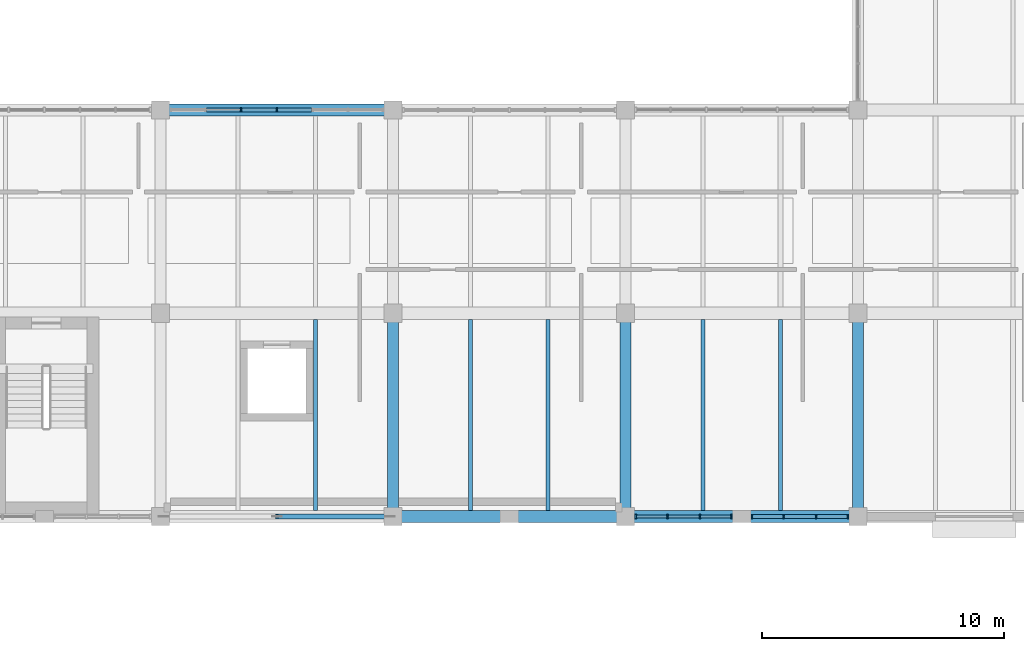
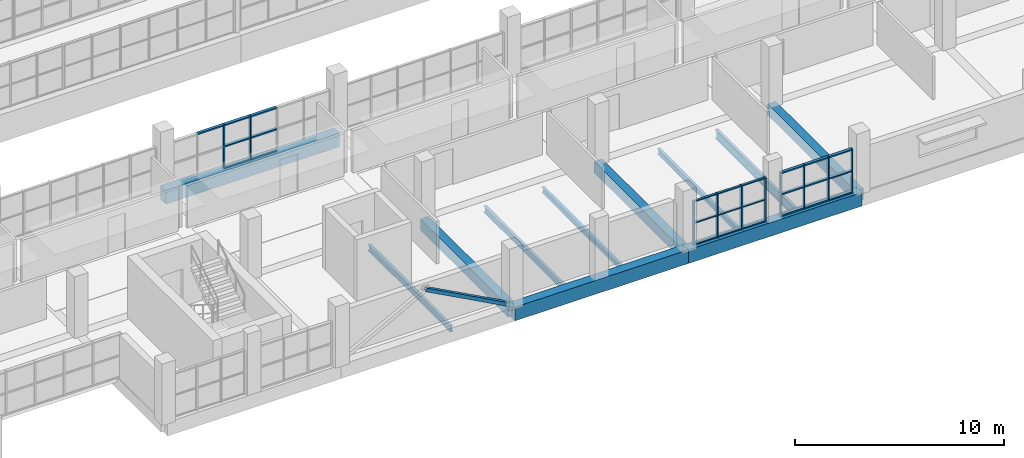
# One storey, part 53 of 147: 36 members, 11 beams, 3 elements without a shape of their own.
"""IFC4 building model written with IfcOpenShell, lengths in metres."""

import ifcopenshell
import ifcopenshell.guid

model = None  # the IFC model being written
_history = None  # IfcOwnerHistory: only IFC2X3 demands one
_inside = {}  # id of a spatial element -> (the spatial element, [elements in it])
_under = {}  # id of a project, library or spatial element -> (it, [spatial elements below it])
_declared = {}  # id of a project -> (the project, [libraries it declares])
_typed = {}  # id of a type object -> (the type object, [elements of that type])
_made_of = {}  # id of a material, layer set ... -> (it, [elements and type objects made of it])


def new_model(schema):
    """Start an empty IFC model of exactly this schema.

    Asked for "IFC4X3", IfcOpenShell would pick the latest addendum, in which some entities
    have other attributes; the version numbers below select the first issue.
    IFC2X3 requires an IfcOwnerHistory on every rooted entity: one is made here for all.
    """
    global model, _history
    if schema == "IFC4X3":
        model = ifcopenshell.file(schema_version=(4, 3, 0, 0))
    else:
        model = ifcopenshell.file(schema=schema)
    _inside.clear()
    _under.clear()
    _declared.clear()
    _typed.clear()
    _made_of.clear()
    _history = None
    if model.schema == "IFC2X3":
        org = make("IfcOrganization", Name="unknown")
        user = make(
            "IfcPersonAndOrganization",
            ThePerson=make("IfcPerson", FamilyName="unknown"),
            TheOrganization=org,
        )
        app = make(
            "IfcApplication",
            ApplicationDeveloper=org,
            Version="unknown",
            ApplicationFullName="unknown",
            ApplicationIdentifier="unknown",
        )
        _history = make(
            "IfcOwnerHistory",
            OwningUser=user,
            OwningApplication=app,
            ChangeAction="ADDED",
            CreationDate=0,
        )
    return model


def make(cls, **values):
    """One entity of the class cls with the attributes given. An attribute that is None is left unset."""
    return model.create_entity(
        cls, **{name: value for name, value in values.items() if value is not None}
    )


def rooted(cls, **values):
    """An entity with a GlobalId (a new one), such as an element, a storey or a relation."""
    return make(cls, GlobalId=ifcopenshell.guid.new(), OwnerHistory=_history, **values)


def si_unit(unit_type, name, prefix=None):
    """IfcSIUnit, for example si_unit("LENGTHUNIT", "METRE", prefix="MILLI")."""
    return make("IfcSIUnit", UnitType=unit_type, Prefix=prefix, Name=name)


def assignment(units):
    """IfcUnitAssignment: the units of a project."""
    return None if units is None else make("IfcUnitAssignment", Units=units)


def point(xyz):
    """IfcCartesianPoint."""
    return None if xyz is None else make("IfcCartesianPoint", Coordinates=xyz)


def direction(xyz):
    """IfcDirection."""
    return None if xyz is None else make("IfcDirection", DirectionRatios=xyz)


def frame(location, z_axis=None, x_axis=None):
    """IfcAxis2Placement3D, a coordinate frame: its origin and axes. An axis left out is left unset."""
    return make(
        "IfcAxis2Placement3D",
        Location=point(location),
        Axis=direction(z_axis),
        RefDirection=direction(x_axis),
    )


def frame_2d(location, x_axis=None):
    """IfcAxis2Placement2D, a coordinate frame in the plane: its origin and x axis."""
    return make(
        "IfcAxis2Placement2D", Location=point(location), RefDirection=direction(x_axis)
    )


def origin():
    """The frame at (0, 0, 0) with its axes left unset."""
    return frame((0.0, 0.0, 0.0))


def origin_2d():
    """The frame at (0, 0) in the plane with its x axis left unset."""
    return frame_2d((0.0, 0.0))


def place(relative_to, where):
    """IfcLocalPlacement: puts the frame where relative to a parent placement (None: the world)."""
    return make(
        "IfcLocalPlacement", PlacementRelTo=relative_to, RelativePlacement=where
    )


def context(
    kind, dimensions, precision=None, world=None, true_north=None, identifier=None
):
    """IfcGeometricRepresentationContext, for example the 3D "Model" context."""
    return make(
        "IfcGeometricRepresentationContext",
        ContextIdentifier=identifier,
        ContextType=kind,
        CoordinateSpaceDimension=dimensions,
        Precision=precision,
        WorldCoordinateSystem=world,
        TrueNorth=true_north,
    )


def subcontext(parent, identifier, kind, view, scale=None):
    """IfcGeometricRepresentationSubContext, for example "Body" below "Model"."""
    return make(
        "IfcGeometricRepresentationSubContext",
        ContextIdentifier=identifier,
        ContextType=kind,
        ParentContext=parent,
        TargetScale=scale,
        TargetView=view,
    )


def project(units=None, contexts=None):
    """IfcProject with its units and contexts."""
    return rooted(
        "IfcProject",
        Name="project",
        RepresentationContexts=contexts,
        UnitsInContext=assignment(units),
    )


def spatial(cls, under=None, at=None, **own):
    """A site, building, storey or space (cls), placed at a placement, below another one or the project."""
    s = rooted(cls, ObjectPlacement=at, **own)
    if under is not None:
        _under.setdefault(under.id(), (under, []))[1].append(s)
    return s


def profile(cls, at=None, kind="AREA", **sizes):
    """A parametric profile (cls). Its sizes go by their IFC names, for example OverallWidth=200.0."""
    return make(cls, ProfileType=kind, Position=at, **sizes)


def rectangle(**sizes):
    """IfcRectangleProfileDef."""
    return profile("IfcRectangleProfileDef", **sizes)


def hollow_rectangle(**sizes):
    """IfcRectangleHollowProfileDef."""
    return profile("IfcRectangleHollowProfileDef", **sizes)


def i_section(**sizes):
    """IfcIShapeProfileDef."""
    return profile("IfcIShapeProfileDef", **sizes)


def extrude(swept, where, along, depth):
    """IfcExtrudedAreaSolid: the profile swept, set in the frame where, extruded along a direction by depth."""
    return make(
        "IfcExtrudedAreaSolid",
        SweptArea=swept,
        Position=where,
        ExtrudedDirection=direction(along),
        Depth=depth,
    )


def shape(context_of_items, identifier, shape_type, items):
    """IfcShapeRepresentation: the items that make up one representation, for example the "Body"."""
    return make(
        "IfcShapeRepresentation",
        ContextOfItems=context_of_items,
        RepresentationIdentifier=identifier,
        RepresentationType=shape_type,
        Items=items,
    )


def material(Name=None, Category=None):
    """IfcMaterial."""
    return make("IfcMaterial", Name=Name, Category=Category)


def material_profile(
    of_material, cross_section, Name=None, Category=None, Priority=None
):
    """IfcMaterialProfile: a cross section and its material."""
    return make(
        "IfcMaterialProfile",
        Name=Name,
        Material=of_material,
        Profile=cross_section,
        Priority=Priority,
        Category=Category,
    )


def profile_set(profiles, Name=None, composite=None):
    """IfcMaterialProfileSet."""
    return make(
        "IfcMaterialProfileSet",
        Name=Name,
        MaterialProfiles=profiles,
        CompositeProfile=composite,
    )


def made_of(thing, what):
    """Note that an element or type object is made of a material, layer set ...; save() writes the relation."""
    if what is not None:
        _made_of.setdefault(what.id(), (what, []))[1].append(thing)
    return thing


def type_object(cls, material=None, **own):
    """A type object (cls), such as IfcWallType, which elements share."""
    return made_of(rooted(cls, **own), material)


def element(
    cls,
    number,
    at=None,
    inside=None,
    cuts=None,
    type_object=None,
    material=None,
    context=None,
    identifier="Body",
    shape_type=None,
    held_by="IfcProductDefinitionShape",
    body=None,
    shapes=None,
    **own,
):
    """One element of the class cls, such as IfcWall. Its Tag is "e" and its number.

    at: its placement. inside: the storey or other place that contains it. cuts: it is an
    opening in that element (IfcRelVoidsElement). A single representation is given by context,
    identifier, shape_type and body (its items); several are given by shapes. held_by: the class
    of the entity that holds the representations. save() writes the other relations.
    """
    e = rooted(cls, Tag="e%d" % number, ObjectPlacement=at, **own)
    if body is not None:
        shapes = [shape(context, identifier, shape_type, body)]
    if shapes is not None:
        e.Representation = make(held_by, Representations=shapes)
    if inside is not None:
        _inside.setdefault(inside.id(), (inside, []))[1].append(e)
    if cuts is not None:
        rooted(
            "IfcRelVoidsElement", RelatingBuildingElement=cuts, RelatedOpeningElement=e
        )
    if type_object is not None:
        _typed.setdefault(type_object.id(), (type_object, []))[1].append(e)
    return made_of(e, material)


def aggregate(whole, parts):
    """IfcRelAggregates: a whole, such as a stair, and the parts it consists of."""
    return rooted("IfcRelAggregates", RelatingObject=whole, RelatedObjects=parts)


def save(model, path):
    """Write the relations noted so far, then the file.

    IfcRelAggregates (storeys below a building ...), IfcRelContainedInSpatialStructure (elements
    in a storey), IfcRelDefinesByType, IfcRelAssociatesMaterial and IfcRelDeclares: one each for
    every whole, place, type object, material and project.
    """
    for whole, parts in _under.values():
        aggregate(whole, parts)
    for where, things in _inside.values():
        rooted(
            "IfcRelContainedInSpatialStructure",
            RelatedElements=things,
            RelatingStructure=where,
        )
    for kind, things in _typed.values():
        rooted("IfcRelDefinesByType", RelatedObjects=things, RelatingType=kind)
    for what, things in _made_of.values():
        rooted("IfcRelAssociatesMaterial", RelatedObjects=things, RelatingMaterial=what)
    for by, libraries in _declared.values():
        rooted("IfcRelDeclares", RelatingContext=by, RelatedDefinitions=libraries)
    model.write(path)


model = new_model("IFC4")

# Units and contexts
model_context = context("Model", 3, precision=1e-05, world=origin(), true_north=direction((0.0, 1.0)))
body_context = subcontext(model_context, "Body", "Model", "MODEL_VIEW")
ifc_project = project(units=[si_unit("LENGTHUNIT", "METRE"), si_unit("AREAUNIT", "SQUARE_METRE"), si_unit("VOLUMEUNIT", "CUBIC_METRE"), si_unit("PLANEANGLEUNIT", "RADIAN"), si_unit("MASSUNIT", "GRAM", prefix="KILO")], contexts=[model_context])

# Site, building, storey
site_placement = place(None, origin())
site = spatial("IfcSite", under=ifc_project, at=site_placement, CompositionType="ELEMENT")
building_placement = place(site_placement, origin())
building = spatial("IfcBuilding", under=site, at=building_placement, Name="Oolite Switchyard Hospital", CompositionType="ELEMENT")
storey_placement = place(building_placement, frame((0.0, 0.0, 9.89990234375)))
storey = spatial("IfcBuildingStorey", under=building, at=storey_placement, Name="L02", CompositionType="ELEMENT", Elevation=9.89990234375)

# Beams
ifc_material_1 = material(Name="Concrete C40/50", Category="concrete")
ifc_material_profile_1 = material_profile(ifc_material_1, rectangle(XDim=0.449951171875, YDim=0.64990234375, at=origin_2d()), Name="RCB450X650")
ifc_profile_set_1 = profile_set([ifc_material_profile_1], Name="Concrete C40/50")
beam_type_1 = type_object("IfcBeamType", Name="BM-RC450X650", PredefinedType="BEAM", material=ifc_profile_set_1)
for number, where, z_axis, x_axis, name in (
    (1, (163.199951171875, 8.39990234375, -0.324951171875), (0.0, 1.0, 0.0), (-1.0, 0.0, 0.0), "L02 Y-Girder 1442"),
    (2, (172.800048828125, 8.39990234375, -0.324951171875), (0.0, 1.0, 0.0), (-1.0, 0.0, 0.0), "L02 Y-Girder 1454"),
    (3, (182.39990234375, 8.39990234375, -0.324951171875), (0.0, 1.0, 0.0), (-1.0, 0.0, 0.0), "L02 Y-Girder 1467"),
):
    element("IfcBeam", number, at=place(storey_placement, frame(where, z_axis=z_axis, x_axis=x_axis)), inside=storey, type_object=beam_type_1, Name=name, PredefinedType="BEAM", context=body_context, shape_type="SweptSolid", body=[
        extrude(rectangle(XDim=0.449951171875, YDim=0.64990234375, at=origin_2d()), origin(), (0.0, 0.0, 1.0), 8.400146484375),
    ])
ifc_material_profile_2 = material_profile(ifc_material_1, rectangle(XDim=0.5, YDim=0.800048828125, at=origin_2d()), Name="RCB500X800")
ifc_profile_set_2 = profile_set([ifc_material_profile_2], Name="Concrete C40/50")
beam_type_2 = type_object("IfcBeamType", Name="BM-RC500X800", PredefinedType="BEAM", material=ifc_profile_set_2)
beam_1_placement = place(storey_placement, frame((163.199951171875, 8.39990234375, -0.39990234375), z_axis=(1.0, 0.0, 0.0), x_axis=(0.0, 1.0, 0.0)))
element("IfcBeam", 4, at=beam_1_placement, inside=storey, type_object=beam_type_2, Name="L02 X-Girder 1000", PredefinedType="BEAM", context=body_context, shape_type="SweptSolid", body=[
    extrude(rectangle(XDim=0.5, YDim=0.800048828125, at=origin_2d()), origin(), (0.0, 0.0, 1.0), 9.60009765625),
])
for number, where, z_axis, x_axis, name in (
    (5, (172.800048828125, 8.39990234375, -0.39990234375), (1.0, 0.0, 0.0), (0.0, 1.0, 0.0), "L02 X-Girder 1001"),
    (6, (153.60009765625, 25.199951171875, -0.39990234375), (1.0, 0.0, 0.0), (0.0, 1.0, 0.0), "L02 X-Girder 1028"),
):
    element("IfcBeam", number, at=place(storey_placement, frame(where, z_axis=z_axis, x_axis=x_axis)), inside=storey, type_object=beam_type_2, Name=name, PredefinedType="BEAM", context=body_context, shape_type="SweptSolid", body=[
        extrude(rectangle(XDim=0.5, YDim=0.800048828125, at=origin_2d()), origin(), (0.0, 0.0, 1.0), 9.599853515625),
    ])
ifc_material_2 = material(Name="Steel ASTM A992 Grade 50", Category="steel")
ifc_material_profile_3 = material_profile(ifc_material_2, i_section(OverallWidth=0.1650390625, OverallDepth=0.31005859375, WebThickness=0.006103515625, FlangeThickness=0.010009765625, at=origin_2d()), Name="W12X26")
ifc_profile_set_3 = profile_set([ifc_material_profile_3], Name="Steel ASTM A992 Grade 50")
beam_type_3 = type_object("IfcBeamType", Name="BM-W12X26", PredefinedType="JOIST", material=ifc_profile_set_3)
for number, where, z_axis, x_axis, name in (
    (7, (169.60009765625, 8.64990234375, -0.414794921875), (0.0, 1.0, 0.0), (-1.0, 0.0, 0.0), "L02 Secondary Steel Joist 1833"),
    (8, (176.0, 8.64990234375, -0.414794921875), (0.0, 1.0, 0.0), (-1.0, 0.0, 0.0), "L02 Secondary Steel Joist 1852"),
):
    element("IfcBeam", number, at=place(storey_placement, frame(where, z_axis=z_axis, x_axis=x_axis)), inside=storey, type_object=beam_type_3, Name=name, PredefinedType="JOIST", context=body_context, shape_type="SweptSolid", body=[
        extrude(i_section(OverallWidth=0.1650390625, OverallDepth=0.31005859375, WebThickness=0.006103515625, FlangeThickness=0.010009765625, at=origin_2d()), origin(), (0.0, 0.0, 1.0), 7.900146484375),
    ])
ifc_material_profile_4 = material_profile(ifc_material_2, i_section(OverallWidth=0.1708984375, OverallDepth=0.35107421875, WebThickness=0.007080078125, FlangeThickness=0.010009765625, at=origin_2d()), Name="W14X30")
ifc_profile_set_4 = profile_set([ifc_material_profile_4], Name="Steel ASTM A992 Grade 50")
beam_type_4 = type_object("IfcBeamType", Name="BM-W14X30", PredefinedType="JOIST", material=ifc_profile_set_4)
for number, where, z_axis, x_axis, name in (
    (9, (160.0, 8.64990234375, -0.434814453125), (0.0, 1.0, 0.0), (-1.0, 0.0, 0.0), "L02 Secondary Steel Joist 1813"),
    (10, (166.39990234375, 8.64990234375, -0.434814453125), (0.0, 1.0, 0.0), (-1.0, 0.0, 0.0), "L02 Secondary Steel Joist 1832"),
):
    element("IfcBeam", number, at=place(storey_placement, frame(where, z_axis=z_axis, x_axis=x_axis)), inside=storey, type_object=beam_type_4, Name=name, PredefinedType="JOIST", context=body_context, shape_type="SweptSolid", body=[
        extrude(i_section(OverallWidth=0.1708984375, OverallDepth=0.35107421875, WebThickness=0.007080078125, FlangeThickness=0.010009765625, at=origin_2d()), origin(), (0.0, 0.0, 1.0), 7.900146484375),
    ])
ifc_material_profile_5 = material_profile(ifc_material_2, i_section(OverallWidth=0.166015625, OverallDepth=0.529052734375, WebThickness=0.010009765625, FlangeThickness=0.013916015625, at=origin_2d()), Name="W21X50")
ifc_profile_set_5 = profile_set([ifc_material_profile_5], Name="Steel ASTM A992 Grade 50")
beam_type_5 = type_object("IfcBeamType", Name="BM-W21X50", PredefinedType="JOIST", material=ifc_profile_set_5)
beam_2_placement = place(storey_placement, frame((179.199951171875, 8.64990234375, -0.52392578125), z_axis=(0.0, 1.0, 0.0), x_axis=(-1.0, 0.0, 0.0)))
element("IfcBeam", 11, at=beam_2_placement, inside=storey, type_object=beam_type_5, Name="L02 Secondary Steel Joist 1853", PredefinedType="JOIST", context=body_context, shape_type="SweptSolid", body=[
    extrude(i_section(OverallWidth=0.166015625, OverallDepth=0.529052734375, WebThickness=0.010009765625, FlangeThickness=0.013916015625, at=origin_2d()), origin(), (0.0, 0.0, 1.0), 7.900146484375),
])

# Curtain wall, members
ifc_material_3 = material(Name="Thermally broken aluminum frame with laminated impact glazing", Category="aluminium")
curtain_wall_type_1 = type_object("IfcCurtainWallType", Name="CW-UNIT-84X36", PredefinedType="USERDEFINED", material=ifc_material_3)
curtain_wall_1_placement = place(storey_placement, origin())
curtain_wall_1 = element("IfcCurtainWall", 12, at=curtain_wall_1_placement, inside=storey, type_object=curtain_wall_type_1, Name="L02 Unitised Curtain Wall 211", ObjectType="UNITISED", PredefinedType="USERDEFINED")
ifc_material_4 = material(Name="Aluminium 6063-T6", Category="aluminium")
ifc_material_profile_6 = material_profile(ifc_material_4, rectangle(XDim=0.159912109375, YDim=0.06005859375, at=origin_2d()), Name="CWM60X160")
ifc_profile_set_6 = profile_set([ifc_material_profile_6], Name="Aluminium 6063-T6")
member_type_1 = type_object("IfcMemberType", Name="CW-MUL-180", PredefinedType="MULLION", material=ifc_profile_set_6)
member_1_placement = place(storey_placement, frame((181.97998046875, 8.39990234375, 0.0), z_axis=(0.0, 0.0, 1.0), x_axis=(0.0, -1.0, 0.0)))
member_1 = element("IfcMember", 13, at=member_1_placement, type_object=member_type_1, Name="CW-08 mullion 1", PredefinedType="MULLION", context=body_context, shape_type="SweptSolid", body=[
    extrude(rectangle(XDim=0.159912109375, YDim=0.06005859375, at=origin_2d()), origin(), (0.0, 0.0, 1.0), 2.570068359375),
])
member_2_placement = place(storey_placement, frame((180.669921875, 8.39990234375, 0.0), z_axis=(0.0, 0.0, 1.0), x_axis=(0.0, -1.0, 0.0)))
member_2 = element("IfcMember", 14, at=member_2_placement, type_object=member_type_1, Name="CW-08 mullion 2", PredefinedType="MULLION", context=body_context, shape_type="SweptSolid", body=[
    extrude(rectangle(XDim=0.159912109375, YDim=0.06005859375, at=origin_2d()), origin(), (0.0, 0.0, 1.0), 2.570068359375),
])
member_3_placement = place(storey_placement, frame((179.330078125, 8.39990234375, 0.0), z_axis=(0.0, 0.0, 1.0), x_axis=(0.0, -1.0, 0.0)))
member_3 = element("IfcMember", 15, at=member_3_placement, type_object=member_type_1, Name="CW-08 mullion 3", PredefinedType="MULLION", context=body_context, shape_type="SweptSolid", body=[
    extrude(rectangle(XDim=0.159912109375, YDim=0.06005859375, at=origin_2d()), origin(), (0.0, 0.0, 1.0), 2.570068359375),
])
member_4_placement = place(storey_placement, frame((178.02001953125, 8.39990234375, 0.0), z_axis=(0.0, 0.0, 1.0), x_axis=(0.0, -1.0, 0.0)))
member_4 = element("IfcMember", 16, at=member_4_placement, type_object=member_type_1, Name="CW-08 mullion 4", PredefinedType="MULLION", context=body_context, shape_type="SweptSolid", body=[
    extrude(rectangle(XDim=0.159912109375, YDim=0.06005859375, at=origin_2d()), origin(), (0.0, 0.0, 1.0), 2.570068359375),
])

curtain_wall_type_2 = type_object("IfcCurtainWallType", Name="CW-UNIT-96X36", PredefinedType="USERDEFINED", material=ifc_material_3)
curtain_wall_2_placement = place(storey_placement, origin())
curtain_wall_2 = element("IfcCurtainWall", 17, at=curtain_wall_2_placement, inside=storey, type_object=curtain_wall_type_2, Name="L02 Unitised Curtain Wall 217", ObjectType="UNITISED", PredefinedType="USERDEFINED")
member_5_placement = place(storey_placement, frame((156.929931640625, 25.199951171875, 0.0), z_axis=(0.0, 0.0, 1.0), x_axis=(0.0, 1.0, 0.0)))
member_5 = element("IfcMember", 18, at=member_5_placement, type_object=member_type_1, Name="CW-03 mullion 3", PredefinedType="MULLION", context=body_context, shape_type="SweptSolid", body=[
    extrude(rectangle(XDim=0.159912109375, YDim=0.06005859375, at=origin_2d()), origin(), (0.0, 0.0, 1.0), 2.570068359375),
])
member_6_placement = place(storey_placement, frame((158.39990234375, 25.199951171875, 0.0), z_axis=(0.0, 0.0, 1.0), x_axis=(0.0, 1.0, 0.0)))
member_6 = element("IfcMember", 19, at=member_6_placement, type_object=member_type_1, Name="CW-03 mullion 4", PredefinedType="MULLION", context=body_context, shape_type="SweptSolid", body=[
    extrude(rectangle(XDim=0.159912109375, YDim=0.06005859375, at=origin_2d()), origin(), (0.0, 0.0, 1.0), 2.570068359375),
])

curtain_wall_3_placement = place(storey_placement, origin())
curtain_wall_3 = element("IfcCurtainWall", 20, at=curtain_wall_3_placement, inside=storey, type_object=curtain_wall_type_1, Name="L02 Unitised Curtain Wall 212", ObjectType="UNITISED", PredefinedType="USERDEFINED")
ifc_material_profile_7 = material_profile(ifc_material_4, rectangle(XDim=0.179931640625, YDim=0.070068359375, at=origin_2d()), Name="CWM70X180")
ifc_profile_set_7 = profile_set([ifc_material_profile_7], Name="Aluminium 6063-T6")
member_type_2 = type_object("IfcMemberType", Name="CW-MUL-220", PredefinedType="MULLION", material=ifc_profile_set_7)
member_7_placement = place(storey_placement, frame((177.175048828125, 8.39990234375, 0.0), z_axis=(0.0, 0.0, 1.0), x_axis=(0.0, -1.0, 0.0)))
member_7 = element("IfcMember", 21, at=member_7_placement, type_object=member_type_2, Name="CW-08 mullion 1", PredefinedType="MULLION", context=body_context, shape_type="SweptSolid", body=[
    extrude(rectangle(XDim=0.179931640625, YDim=0.070068359375, at=origin_2d()), origin(), (0.0, 0.0, 1.0), 2.570068359375),
])
member_8_placement = place(storey_placement, frame((175.8701171875, 8.39990234375, 0.0), z_axis=(0.0, 0.0, 1.0), x_axis=(0.0, -1.0, 0.0)))
member_8 = element("IfcMember", 22, at=member_8_placement, type_object=member_type_2, Name="CW-08 mullion 2", PredefinedType="MULLION", context=body_context, shape_type="SweptSolid", body=[
    extrude(rectangle(XDim=0.179931640625, YDim=0.070068359375, at=origin_2d()), origin(), (0.0, 0.0, 1.0), 2.570068359375),
])
member_9_placement = place(storey_placement, frame((174.530029296875, 8.39990234375, 0.0), z_axis=(0.0, 0.0, 1.0), x_axis=(0.0, -1.0, 0.0)))
member_9 = element("IfcMember", 23, at=member_9_placement, type_object=member_type_2, Name="CW-08 mullion 3", PredefinedType="MULLION", context=body_context, shape_type="SweptSolid", body=[
    extrude(rectangle(XDim=0.179931640625, YDim=0.070068359375, at=origin_2d()), origin(), (0.0, 0.0, 1.0), 2.570068359375),
])
member_10_placement = place(storey_placement, frame((173.22509765625, 8.39990234375, 0.0), z_axis=(0.0, 0.0, 1.0), x_axis=(0.0, -1.0, 0.0)))
member_10 = element("IfcMember", 24, at=member_10_placement, type_object=member_type_2, Name="CW-08 mullion 4", PredefinedType="MULLION", context=body_context, shape_type="SweptSolid", body=[
    extrude(rectangle(XDim=0.179931640625, YDim=0.070068359375, at=origin_2d()), origin(), (0.0, 0.0, 1.0), 2.570068359375),
])
ifc_material_profile_8 = material_profile(ifc_material_4, rectangle(XDim=0.1201171875, YDim=0.06005859375, at=origin_2d()), Name="CWT60X120")
ifc_profile_set_8 = profile_set([ifc_material_profile_8], Name="Aluminium 6063-T6")
member_type_3 = type_object("IfcMemberType", Name="CW-TRN-150", PredefinedType="USERDEFINED", material=ifc_profile_set_8)
member_11_placement = place(storey_placement, frame((177.139892578125, 8.39990234375, 0.030029296875), z_axis=(-1.0, 0.0, 0.0), x_axis=(0.0, -1.0, 0.0)))
member_11 = element("IfcMember", 25, at=member_11_placement, type_object=member_type_3, Name="CW-08 transom 1.1", ObjectType="TRANSOM", PredefinedType="USERDEFINED", context=body_context, shape_type="SweptSolid", body=[
    extrude(rectangle(XDim=0.1201171875, YDim=0.06005859375, at=origin_2d()), origin(), (0.0, 0.0, 1.0), 1.23486328125),
])
member_12_placement = place(storey_placement, frame((177.139892578125, 8.39990234375, 1.28515625), z_axis=(-1.0, 0.0, 0.0), x_axis=(0.0, -1.0, 0.0)))
member_12 = element("IfcMember", 26, at=member_12_placement, type_object=member_type_3, Name="CW-08 transom 1.2", ObjectType="TRANSOM", PredefinedType="USERDEFINED", context=body_context, shape_type="SweptSolid", body=[
    extrude(rectangle(XDim=0.1201171875, YDim=0.06005859375, at=origin_2d()), origin(), (0.0, 0.0, 1.0), 1.23486328125),
])
member_13_placement = place(storey_placement, frame((177.139892578125, 8.39990234375, 2.5400390625), z_axis=(-1.0, 0.0, 0.0), x_axis=(0.0, -1.0, 0.0)))
member_13 = element("IfcMember", 27, at=member_13_placement, type_object=member_type_3, Name="CW-08 transom 1.3", ObjectType="TRANSOM", PredefinedType="USERDEFINED", context=body_context, shape_type="SweptSolid", body=[
    extrude(rectangle(XDim=0.1201171875, YDim=0.06005859375, at=origin_2d()), origin(), (0.0, 0.0, 1.0), 1.23486328125),
])
member_14_placement = place(storey_placement, frame((175.8349609375, 8.39990234375, 0.030029296875), z_axis=(-1.0, 0.0, 0.0), x_axis=(0.0, -1.0, 0.0)))
member_14 = element("IfcMember", 28, at=member_14_placement, type_object=member_type_3, Name="CW-08 transom 2.1", ObjectType="TRANSOM", PredefinedType="USERDEFINED", context=body_context, shape_type="SweptSolid", body=[
    extrude(rectangle(XDim=0.1201171875, YDim=0.06005859375, at=origin_2d()), origin(), (0.0, 0.0, 1.0), 1.27001953125),
])
member_15_placement = place(storey_placement, frame((175.8349609375, 8.39990234375, 1.28515625), z_axis=(-1.0, 0.0, 0.0), x_axis=(0.0, -1.0, 0.0)))
member_15 = element("IfcMember", 29, at=member_15_placement, type_object=member_type_3, Name="CW-08 transom 2.2", ObjectType="TRANSOM", PredefinedType="USERDEFINED", context=body_context, shape_type="SweptSolid", body=[
    extrude(rectangle(XDim=0.1201171875, YDim=0.06005859375, at=origin_2d()), origin(), (0.0, 0.0, 1.0), 1.27001953125),
])
member_16_placement = place(storey_placement, frame((175.8349609375, 8.39990234375, 2.5400390625), z_axis=(-1.0, 0.0, 0.0), x_axis=(0.0, -1.0, 0.0)))
member_16 = element("IfcMember", 30, at=member_16_placement, type_object=member_type_3, Name="CW-08 transom 2.3", ObjectType="TRANSOM", PredefinedType="USERDEFINED", context=body_context, shape_type="SweptSolid", body=[
    extrude(rectangle(XDim=0.1201171875, YDim=0.06005859375, at=origin_2d()), origin(), (0.0, 0.0, 1.0), 1.27001953125),
])
member_17_placement = place(storey_placement, frame((174.4951171875, 8.39990234375, 0.030029296875), z_axis=(-1.0, 0.0, 0.0), x_axis=(0.0, -1.0, 0.0)))
member_17 = element("IfcMember", 31, at=member_17_placement, type_object=member_type_3, Name="CW-08 transom 3.1", ObjectType="TRANSOM", PredefinedType="USERDEFINED", context=body_context, shape_type="SweptSolid", body=[
    extrude(rectangle(XDim=0.1201171875, YDim=0.06005859375, at=origin_2d()), origin(), (0.0, 0.0, 1.0), 1.235107421875),
])
member_18_placement = place(storey_placement, frame((174.4951171875, 8.39990234375, 1.28515625), z_axis=(-1.0, 0.0, 0.0), x_axis=(0.0, -1.0, 0.0)))
member_18 = element("IfcMember", 32, at=member_18_placement, type_object=member_type_3, Name="CW-08 transom 3.2", ObjectType="TRANSOM", PredefinedType="USERDEFINED", context=body_context, shape_type="SweptSolid", body=[
    extrude(rectangle(XDim=0.1201171875, YDim=0.06005859375, at=origin_2d()), origin(), (0.0, 0.0, 1.0), 1.235107421875),
])
member_19_placement = place(storey_placement, frame((174.4951171875, 8.39990234375, 2.5400390625), z_axis=(-1.0, 0.0, 0.0), x_axis=(0.0, -1.0, 0.0)))
member_19 = element("IfcMember", 33, at=member_19_placement, type_object=member_type_3, Name="CW-08 transom 3.3", ObjectType="TRANSOM", PredefinedType="USERDEFINED", context=body_context, shape_type="SweptSolid", body=[
    extrude(rectangle(XDim=0.1201171875, YDim=0.06005859375, at=origin_2d()), origin(), (0.0, 0.0, 1.0), 1.235107421875),
])
aggregate(curtain_wall_3, [member_7, member_8, member_9, member_10, member_11, member_12, member_13, member_14, member_15, member_16, member_17, member_18, member_19])

# Member
ifc_material_profile_9 = material_profile(ifc_material_4, rectangle(XDim=0.159912109375, YDim=0.074951171875, at=origin_2d()), Name="CWT75X160")
ifc_profile_set_9 = profile_set([ifc_material_profile_9], Name="Aluminium 6063-T6")
member_type_4 = type_object("IfcMemberType", Name="CW-TRN-180", PredefinedType="USERDEFINED", material=ifc_profile_set_9)
member_20_placement = place(storey_placement, frame((181.949951171875, 8.39990234375, 0.03759765625), z_axis=(-1.0, 0.0, 0.0), x_axis=(0.0, -1.0, 0.0)))
member_20 = element("IfcMember", 34, at=member_20_placement, type_object=member_type_4, Name="CW-08 transom 1.1", ObjectType="TRANSOM", PredefinedType="USERDEFINED", context=body_context, shape_type="SweptSolid", body=[
    extrude(rectangle(XDim=0.159912109375, YDim=0.074951171875, at=origin_2d()), origin(), (0.0, 0.0, 1.0), 1.25),
])

member_21_placement = place(storey_placement, frame((181.949951171875, 8.39990234375, 1.28515625), z_axis=(-1.0, 0.0, 0.0), x_axis=(0.0, -1.0, 0.0)))
member_21 = element("IfcMember", 35, at=member_21_placement, type_object=member_type_4, Name="CW-08 transom 1.2", ObjectType="TRANSOM", PredefinedType="USERDEFINED", context=body_context, shape_type="SweptSolid", body=[
    extrude(rectangle(XDim=0.159912109375, YDim=0.074951171875, at=origin_2d()), origin(), (0.0, 0.0, 1.0), 1.25),
])

member_22_placement = place(storey_placement, frame((181.949951171875, 8.39990234375, 2.53271484375), z_axis=(-1.0, 0.0, 0.0), x_axis=(0.0, -1.0, 0.0)))
member_22 = element("IfcMember", 36, at=member_22_placement, type_object=member_type_4, Name="CW-08 transom 1.3", ObjectType="TRANSOM", PredefinedType="USERDEFINED", context=body_context, shape_type="SweptSolid", body=[
    extrude(rectangle(XDim=0.159912109375, YDim=0.074951171875, at=origin_2d()), origin(), (0.0, 0.0, 1.0), 1.25),
])

member_23_placement = place(storey_placement, frame((180.639892578125, 8.39990234375, 0.03759765625), z_axis=(-1.0, 0.0, 0.0), x_axis=(0.0, -1.0, 0.0)))
member_23 = element("IfcMember", 37, at=member_23_placement, type_object=member_type_4, Name="CW-08 transom 2.1", ObjectType="TRANSOM", PredefinedType="USERDEFINED", context=body_context, shape_type="SweptSolid", body=[
    extrude(rectangle(XDim=0.159912109375, YDim=0.074951171875, at=origin_2d()), origin(), (0.0, 0.0, 1.0), 1.27978515625),
])

member_24_placement = place(storey_placement, frame((180.639892578125, 8.39990234375, 1.28515625), z_axis=(-1.0, 0.0, 0.0), x_axis=(0.0, -1.0, 0.0)))
member_24 = element("IfcMember", 38, at=member_24_placement, type_object=member_type_4, Name="CW-08 transom 2.2", ObjectType="TRANSOM", PredefinedType="USERDEFINED", context=body_context, shape_type="SweptSolid", body=[
    extrude(rectangle(XDim=0.159912109375, YDim=0.074951171875, at=origin_2d()), origin(), (0.0, 0.0, 1.0), 1.27978515625),
])

member_25_placement = place(storey_placement, frame((180.639892578125, 8.39990234375, 2.53271484375), z_axis=(-1.0, 0.0, 0.0), x_axis=(0.0, -1.0, 0.0)))
member_25 = element("IfcMember", 39, at=member_25_placement, type_object=member_type_4, Name="CW-08 transom 2.3", ObjectType="TRANSOM", PredefinedType="USERDEFINED", context=body_context, shape_type="SweptSolid", body=[
    extrude(rectangle(XDim=0.159912109375, YDim=0.074951171875, at=origin_2d()), origin(), (0.0, 0.0, 1.0), 1.27978515625),
])

member_26_placement = place(storey_placement, frame((179.300048828125, 8.39990234375, 0.03759765625), z_axis=(-1.0, 0.0, 0.0), x_axis=(0.0, -1.0, 0.0)))
member_26 = element("IfcMember", 40, at=member_26_placement, type_object=member_type_4, Name="CW-08 transom 3.1", ObjectType="TRANSOM", PredefinedType="USERDEFINED", context=body_context, shape_type="SweptSolid", body=[
    extrude(rectangle(XDim=0.159912109375, YDim=0.074951171875, at=origin_2d()), origin(), (0.0, 0.0, 1.0), 1.25),
])

member_27_placement = place(storey_placement, frame((179.300048828125, 8.39990234375, 1.28515625), z_axis=(-1.0, 0.0, 0.0), x_axis=(0.0, -1.0, 0.0)))
member_27 = element("IfcMember", 41, at=member_27_placement, type_object=member_type_4, Name="CW-08 transom 3.2", ObjectType="TRANSOM", PredefinedType="USERDEFINED", context=body_context, shape_type="SweptSolid", body=[
    extrude(rectangle(XDim=0.159912109375, YDim=0.074951171875, at=origin_2d()), origin(), (0.0, 0.0, 1.0), 1.25),
])

member_28_placement = place(storey_placement, frame((179.300048828125, 8.39990234375, 2.53271484375), z_axis=(-1.0, 0.0, 0.0), x_axis=(0.0, -1.0, 0.0)))
member_28 = element("IfcMember", 42, at=member_28_placement, type_object=member_type_4, Name="CW-08 transom 3.3", ObjectType="TRANSOM", PredefinedType="USERDEFINED", context=body_context, shape_type="SweptSolid", body=[
    extrude(rectangle(XDim=0.159912109375, YDim=0.074951171875, at=origin_2d()), origin(), (0.0, 0.0, 1.0), 1.25),
])

aggregate(curtain_wall_1, [member_1, member_2, member_3, member_4, member_20, member_21, member_22, member_23, member_24, member_25, member_26, member_27, member_28])

member_29_placement = place(storey_placement, frame((155.489990234375, 25.199951171875, 2.53271484375), z_axis=(1.0, 0.0, 0.0), x_axis=(0.0, 1.0, 0.0)))
member_29 = element("IfcMember", 43, at=member_29_placement, type_object=member_type_4, Name="CW-03 transom 2.3", ObjectType="TRANSOM", PredefinedType="USERDEFINED", context=body_context, shape_type="SweptSolid", body=[
    extrude(rectangle(XDim=0.159912109375, YDim=0.074951171875, at=origin_2d()), origin(), (0.0, 0.0, 1.0), 1.409912109375),
])

member_30_placement = place(storey_placement, frame((156.9599609375, 25.199951171875, 0.03759765625), z_axis=(1.0, 0.0, 0.0), x_axis=(0.0, 1.0, 0.0)))
member_30 = element("IfcMember", 44, at=member_30_placement, type_object=member_type_4, Name="CW-03 transom 3.1", ObjectType="TRANSOM", PredefinedType="USERDEFINED", context=body_context, shape_type="SweptSolid", body=[
    extrude(rectangle(XDim=0.159912109375, YDim=0.074951171875, at=origin_2d()), origin(), (0.0, 0.0, 1.0), 1.41015625),
])

member_31_placement = place(storey_placement, frame((156.9599609375, 25.199951171875, 1.28515625), z_axis=(1.0, 0.0, 0.0), x_axis=(0.0, 1.0, 0.0)))
member_31 = element("IfcMember", 45, at=member_31_placement, type_object=member_type_4, Name="CW-03 transom 3.2", ObjectType="TRANSOM", PredefinedType="USERDEFINED", context=body_context, shape_type="SweptSolid", body=[
    extrude(rectangle(XDim=0.159912109375, YDim=0.074951171875, at=origin_2d()), origin(), (0.0, 0.0, 1.0), 1.41015625),
])

member_32_placement = place(storey_placement, frame((156.9599609375, 25.199951171875, 2.53271484375), z_axis=(1.0, 0.0, 0.0), x_axis=(0.0, 1.0, 0.0)))
member_32 = element("IfcMember", 46, at=member_32_placement, type_object=member_type_4, Name="CW-03 transom 3.3", ObjectType="TRANSOM", PredefinedType="USERDEFINED", context=body_context, shape_type="SweptSolid", body=[
    extrude(rectangle(XDim=0.159912109375, YDim=0.074951171875, at=origin_2d()), origin(), (0.0, 0.0, 1.0), 1.41015625),
])

member_33_placement = place(storey_placement, frame((158.429931640625, 25.199951171875, 0.03759765625), z_axis=(1.0, 0.0, 0.0), x_axis=(0.0, 1.0, 0.0)))
member_33 = element("IfcMember", 47, at=member_33_placement, type_object=member_type_4, Name="CW-03 transom 4.1", ObjectType="TRANSOM", PredefinedType="USERDEFINED", context=body_context, shape_type="SweptSolid", body=[
    extrude(rectangle(XDim=0.159912109375, YDim=0.074951171875, at=origin_2d()), origin(), (0.0, 0.0, 1.0), 1.41015625),
])

member_34_placement = place(storey_placement, frame((158.429931640625, 25.199951171875, 1.28515625), z_axis=(1.0, 0.0, 0.0), x_axis=(0.0, 1.0, 0.0)))
member_34 = element("IfcMember", 48, at=member_34_placement, type_object=member_type_4, Name="CW-03 transom 4.2", ObjectType="TRANSOM", PredefinedType="USERDEFINED", context=body_context, shape_type="SweptSolid", body=[
    extrude(rectangle(XDim=0.159912109375, YDim=0.074951171875, at=origin_2d()), origin(), (0.0, 0.0, 1.0), 1.41015625),
])

member_35_placement = place(storey_placement, frame((158.429931640625, 25.199951171875, 2.53271484375), z_axis=(1.0, 0.0, 0.0), x_axis=(0.0, 1.0, 0.0)))
member_35 = element("IfcMember", 49, at=member_35_placement, type_object=member_type_4, Name="CW-03 transom 4.3", ObjectType="TRANSOM", PredefinedType="USERDEFINED", context=body_context, shape_type="SweptSolid", body=[
    extrude(rectangle(XDim=0.159912109375, YDim=0.074951171875, at=origin_2d()), origin(), (0.0, 0.0, 1.0), 1.41015625),
])

aggregate(curtain_wall_2, [member_5, member_6, member_29, member_30, member_31, member_32, member_33, member_34, member_35])

ifc_material_5 = material(Name="Steel ASTM A500 Grade C", Category="steel")
ifc_material_profile_10 = material_profile(ifc_material_5, hollow_rectangle(XDim=0.202880859375, YDim=0.202880859375, WallThickness=0.012939453125, at=origin_2d()), Name="HSS203X203X13")
ifc_profile_set_10 = profile_set([ifc_material_profile_10], Name="Steel ASTM A500 Grade C")
member_type_5 = type_object("IfcMemberType", Name="MEM-BR-HSS203", PredefinedType="BRACE", material=ifc_profile_set_10)
member_36_placement = place(storey_placement, frame((163.199951171875, 8.39990234375, 0.02001953125), z_axis=(-0.880446653872, 0.0, 0.474145220039), x_axis=(0.0, -1.0, 0.0)))
element("IfcMember", 50, at=member_36_placement, inside=storey, type_object=member_type_5, Name="L02 Chevron Brace 66", PredefinedType="BRACE", context=body_context, shape_type="SweptSolid", body=[
    extrude(hollow_rectangle(XDim=0.202880859375, YDim=0.202880859375, WallThickness=0.012939453125, at=origin_2d()), origin(), (0.0, 0.0, 1.0), 5.451904296875),
])

save(model, "model.ifc")
